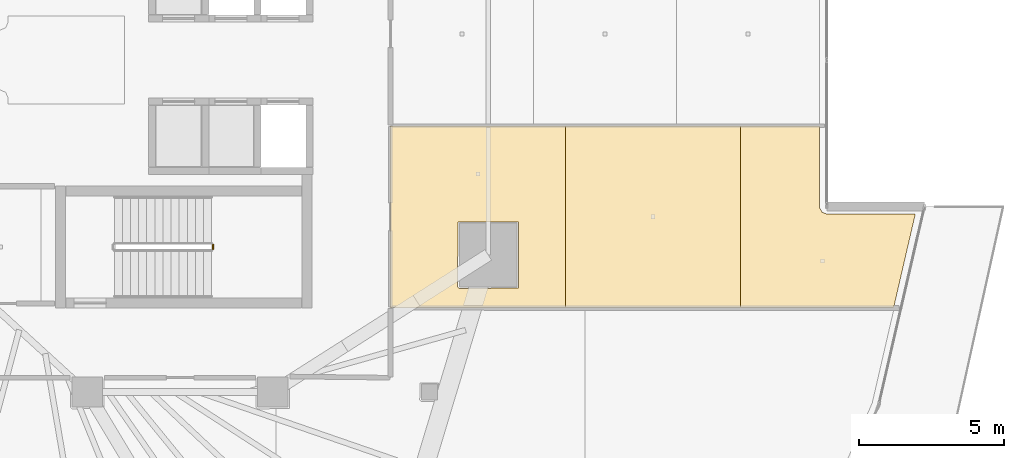
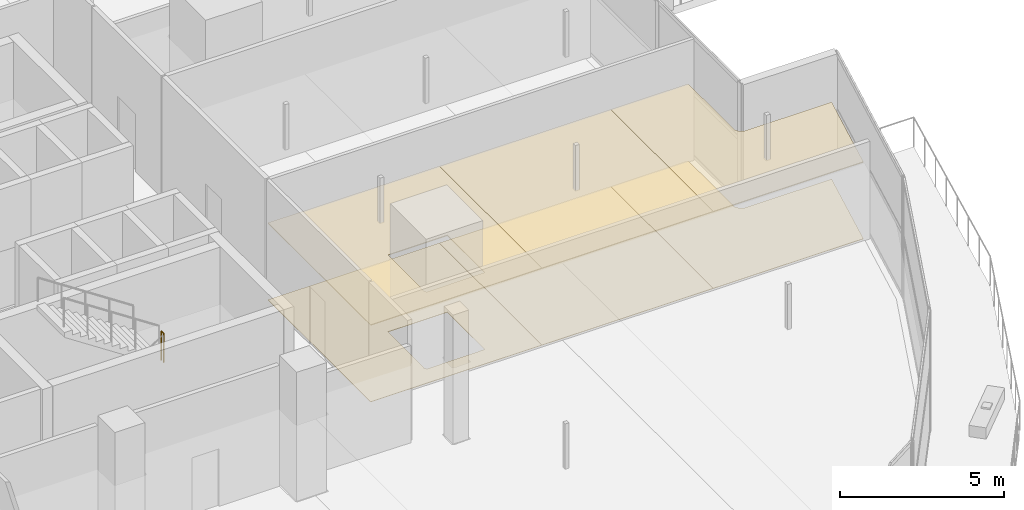
# One storey, part 38 of 42: 6 coverings, 1 railing.
"""IFC4 building model written with IfcOpenShell, lengths in metres."""

import ifcopenshell
import ifcopenshell.guid

model = None  # the IFC model being written
_history = None  # IfcOwnerHistory: only IFC2X3 demands one
_inside = {}  # id of a spatial element -> (the spatial element, [elements in it])
_under = {}  # id of a project, library or spatial element -> (it, [spatial elements below it])
_declared = {}  # id of a project -> (the project, [libraries it declares])
_typed = {}  # id of a type object -> (the type object, [elements of that type])
_made_of = {}  # id of a material, layer set ... -> (it, [elements and type objects made of it])


def new_model(schema):
    """Start an empty IFC model of exactly this schema.

    Asked for "IFC4X3", IfcOpenShell would pick the latest addendum, in which some entities
    have other attributes; the version numbers below select the first issue.
    IFC2X3 requires an IfcOwnerHistory on every rooted entity: one is made here for all.
    """
    global model, _history
    if schema == "IFC4X3":
        model = ifcopenshell.file(schema_version=(4, 3, 0, 0))
    else:
        model = ifcopenshell.file(schema=schema)
    _inside.clear()
    _under.clear()
    _declared.clear()
    _typed.clear()
    _made_of.clear()
    _history = None
    if model.schema == "IFC2X3":
        org = make("IfcOrganization", Name="unknown")
        user = make(
            "IfcPersonAndOrganization",
            ThePerson=make("IfcPerson", FamilyName="unknown"),
            TheOrganization=org,
        )
        app = make(
            "IfcApplication",
            ApplicationDeveloper=org,
            Version="unknown",
            ApplicationFullName="unknown",
            ApplicationIdentifier="unknown",
        )
        _history = make(
            "IfcOwnerHistory",
            OwningUser=user,
            OwningApplication=app,
            ChangeAction="ADDED",
            CreationDate=0,
        )
    return model


def make(cls, **values):
    """One entity of the class cls with the attributes given. An attribute that is None is left unset."""
    return model.create_entity(
        cls, **{name: value for name, value in values.items() if value is not None}
    )


def rooted(cls, **values):
    """An entity with a GlobalId (a new one), such as an element, a storey or a relation."""
    return make(cls, GlobalId=ifcopenshell.guid.new(), OwnerHistory=_history, **values)


def si_unit(unit_type, name, prefix=None):
    """IfcSIUnit, for example si_unit("LENGTHUNIT", "METRE", prefix="MILLI")."""
    return make("IfcSIUnit", UnitType=unit_type, Prefix=prefix, Name=name)


def assignment(units):
    """IfcUnitAssignment: the units of a project."""
    return None if units is None else make("IfcUnitAssignment", Units=units)


def point(xyz):
    """IfcCartesianPoint."""
    return None if xyz is None else make("IfcCartesianPoint", Coordinates=xyz)


def direction(xyz):
    """IfcDirection."""
    return None if xyz is None else make("IfcDirection", DirectionRatios=xyz)


def frame(location, z_axis=None, x_axis=None):
    """IfcAxis2Placement3D, a coordinate frame: its origin and axes. An axis left out is left unset."""
    return make(
        "IfcAxis2Placement3D",
        Location=point(location),
        Axis=direction(z_axis),
        RefDirection=direction(x_axis),
    )


def frame_2d(location, x_axis=None):
    """IfcAxis2Placement2D, a coordinate frame in the plane: its origin and x axis."""
    return make(
        "IfcAxis2Placement2D", Location=point(location), RefDirection=direction(x_axis)
    )


def origin():
    """The frame at (0, 0, 0) with its axes left unset."""
    return frame((0.0, 0.0, 0.0))


def origin_2d():
    """The frame at (0, 0) in the plane with its x axis left unset."""
    return frame_2d((0.0, 0.0))


def place(relative_to, where):
    """IfcLocalPlacement: puts the frame where relative to a parent placement (None: the world)."""
    return make(
        "IfcLocalPlacement", PlacementRelTo=relative_to, RelativePlacement=where
    )


def context(
    kind, dimensions, precision=None, world=None, true_north=None, identifier=None
):
    """IfcGeometricRepresentationContext, for example the 3D "Model" context."""
    return make(
        "IfcGeometricRepresentationContext",
        ContextIdentifier=identifier,
        ContextType=kind,
        CoordinateSpaceDimension=dimensions,
        Precision=precision,
        WorldCoordinateSystem=world,
        TrueNorth=true_north,
    )


def subcontext(parent, identifier, kind, view, scale=None):
    """IfcGeometricRepresentationSubContext, for example "Body" below "Model"."""
    return make(
        "IfcGeometricRepresentationSubContext",
        ContextIdentifier=identifier,
        ContextType=kind,
        ParentContext=parent,
        TargetScale=scale,
        TargetView=view,
    )


def project(units=None, contexts=None):
    """IfcProject with its units and contexts."""
    return rooted(
        "IfcProject",
        Name="project",
        RepresentationContexts=contexts,
        UnitsInContext=assignment(units),
    )


def spatial(cls, under=None, at=None, **own):
    """A site, building, storey or space (cls), placed at a placement, below another one or the project."""
    s = rooted(cls, ObjectPlacement=at, **own)
    if under is not None:
        _under.setdefault(under.id(), (under, []))[1].append(s)
    return s


def polyline(points):
    """IfcPolyline through the points."""
    return make("IfcPolyline", Points=[point(p) for p in points])


def profile(cls, at=None, kind="AREA", **sizes):
    """A parametric profile (cls). Its sizes go by their IFC names, for example OverallWidth=200.0."""
    return make(cls, ProfileType=kind, Position=at, **sizes)


def circle(**sizes):
    """IfcCircleProfileDef."""
    return profile("IfcCircleProfileDef", **sizes)


def outline(outer, holes=None, kind="AREA"):
    """IfcArbitraryClosedProfileDef: a profile drawn as a closed curve; with holes, ...WithVoids."""
    if holes is None:
        return make("IfcArbitraryClosedProfileDef", ProfileType=kind, OuterCurve=outer)
    return make(
        "IfcArbitraryProfileDefWithVoids",
        ProfileType=kind,
        OuterCurve=outer,
        InnerCurves=holes,
    )


def extrude(swept, where, along, depth):
    """IfcExtrudedAreaSolid: the profile swept, set in the frame where, extruded along a direction by depth."""
    return make(
        "IfcExtrudedAreaSolid",
        SweptArea=swept,
        Position=where,
        ExtrudedDirection=direction(along),
        Depth=depth,
    )


def shape(context_of_items, identifier, shape_type, items):
    """IfcShapeRepresentation: the items that make up one representation, for example the "Body"."""
    return make(
        "IfcShapeRepresentation",
        ContextOfItems=context_of_items,
        RepresentationIdentifier=identifier,
        RepresentationType=shape_type,
        Items=items,
    )


def material(Name=None, Category=None):
    """IfcMaterial."""
    return make("IfcMaterial", Name=Name, Category=Category)


def layer(
    of_material, thickness, ventilated=None, Name=None, Category=None, Priority=None
):
    """IfcMaterialLayer: one layer of a wall or slab, of a material (None: an air gap)."""
    return make(
        "IfcMaterialLayer",
        Material=of_material,
        LayerThickness=thickness,
        IsVentilated=ventilated,
        Name=Name,
        Category=Category,
        Priority=Priority,
    )


def layer_set(layers, Name=None):
    """IfcMaterialLayerSet."""
    return make("IfcMaterialLayerSet", MaterialLayers=layers, LayerSetName=Name)


def made_of(thing, what):
    """Note that an element or type object is made of a material, layer set ...; save() writes the relation."""
    if what is not None:
        _made_of.setdefault(what.id(), (what, []))[1].append(thing)
    return thing


def type_object(cls, material=None, **own):
    """A type object (cls), such as IfcWallType, which elements share."""
    return made_of(rooted(cls, **own), material)


def element(
    cls,
    number,
    at=None,
    inside=None,
    cuts=None,
    type_object=None,
    material=None,
    context=None,
    identifier="Body",
    shape_type=None,
    held_by="IfcProductDefinitionShape",
    body=None,
    shapes=None,
    **own,
):
    """One element of the class cls, such as IfcWall. Its Tag is "e" and its number.

    at: its placement. inside: the storey or other place that contains it. cuts: it is an
    opening in that element (IfcRelVoidsElement). A single representation is given by context,
    identifier, shape_type and body (its items); several are given by shapes. held_by: the class
    of the entity that holds the representations. save() writes the other relations.
    """
    e = rooted(cls, Tag="e%d" % number, ObjectPlacement=at, **own)
    if body is not None:
        shapes = [shape(context, identifier, shape_type, body)]
    if shapes is not None:
        e.Representation = make(held_by, Representations=shapes)
    if inside is not None:
        _inside.setdefault(inside.id(), (inside, []))[1].append(e)
    if cuts is not None:
        rooted(
            "IfcRelVoidsElement", RelatingBuildingElement=cuts, RelatedOpeningElement=e
        )
    if type_object is not None:
        _typed.setdefault(type_object.id(), (type_object, []))[1].append(e)
    return made_of(e, material)


def aggregate(whole, parts):
    """IfcRelAggregates: a whole, such as a stair, and the parts it consists of."""
    return rooted("IfcRelAggregates", RelatingObject=whole, RelatedObjects=parts)


def save(model, path):
    """Write the relations noted so far, then the file.

    IfcRelAggregates (storeys below a building ...), IfcRelContainedInSpatialStructure (elements
    in a storey), IfcRelDefinesByType, IfcRelAssociatesMaterial and IfcRelDeclares: one each for
    every whole, place, type object, material and project.
    """
    for whole, parts in _under.values():
        aggregate(whole, parts)
    for where, things in _inside.values():
        rooted(
            "IfcRelContainedInSpatialStructure",
            RelatedElements=things,
            RelatingStructure=where,
        )
    for kind, things in _typed.values():
        rooted("IfcRelDefinesByType", RelatedObjects=things, RelatingType=kind)
    for what, things in _made_of.values():
        rooted("IfcRelAssociatesMaterial", RelatedObjects=things, RelatingMaterial=what)
    for by, libraries in _declared.values():
        rooted("IfcRelDeclares", RelatingContext=by, RelatedDefinitions=libraries)
    model.write(path)


model = new_model("IFC4")

# Units and contexts
model_context = context("Model", 3, precision=1e-05, world=origin(), true_north=direction((0.0, 1.0)))
body_context = subcontext(model_context, "Body", "Model", "MODEL_VIEW")
ifc_project = project(units=[si_unit("LENGTHUNIT", "METRE"), si_unit("AREAUNIT", "SQUARE_METRE"), si_unit("VOLUMEUNIT", "CUBIC_METRE"), si_unit("PLANEANGLEUNIT", "RADIAN"), si_unit("MASSUNIT", "GRAM", prefix="KILO")], contexts=[model_context])

# Site, building, storey
site_placement = place(None, origin())
site = spatial("IfcSite", under=ifc_project, at=site_placement, CompositionType="ELEMENT")
building_placement = place(site_placement, origin())
building = spatial("IfcBuilding", under=site, at=building_placement, Name="Qorvath Tower", CompositionType="ELEMENT")
storey_placement = place(building_placement, frame((0.0, 0.0, 105.0)))
storey = spatial("IfcBuildingStorey", under=building, at=storey_placement, Name="L23", CompositionType="ELEMENT", Elevation=105.0)

# Coverings
ifc_material_1 = material(Name="Acoustic mineral fibre ceiling tile", Category="gypsum")
ifc_layer_1 = layer(ifc_material_1, 0.030029296875)
ifc_layer_set_1 = layer_set([ifc_layer_1], Name="COV-CEIL")
covering_type_1 = type_object("IfcCoveringType", Name="COV-CEIL", PredefinedType="CEILING", material=ifc_layer_set_1)
covering_1_placement = place(storey_placement, frame((0.0, 0.0, 2.85009765625)))
element("IfcCovering", 1, at=covering_1_placement, inside=storey, type_object=covering_type_1, Name="L23 Suspended Acoustic Ceiling 022", PredefinedType="CEILING", context=body_context, shape_type="SweptSolid", body=[
    extrude(outline(polyline([(-7.104736328125, -8.53857421875), (-7.104736328125, -2.2734375), (-13.136962890625, -2.2734375), (-13.136962890625, -8.537109375), (-7.104736328125, -8.53857421875)]), holes=[polyline([(-10.830322265625, -7.8212890625), (-10.812744140625, -5.578857421875), (-8.727783203125, -5.578857421875), (-8.727783203125, -7.86376953125), (-10.770263671875, -7.88134765625), (-10.830322265625, -7.8212890625)])]), origin(), (0.0, 0.0, 1.0), 0.030029296875),
])
covering_2_placement = place(storey_placement, frame((0.0, 0.0, 2.85009765625)))
element("IfcCovering", 2, at=covering_2_placement, inside=storey, type_object=covering_type_1, Name="L23 Suspended Acoustic Ceiling 023", PredefinedType="CEILING", context=body_context, shape_type="SweptSolid", body=[
    extrude(outline(polyline([(-1.07275390625, -8.5400390625), (-1.07275390625, -2.2734375), (-7.104736328125, -2.2734375), (-7.104736328125, -8.53857421875), (-1.07275390625, -8.5400390625)])), origin(), (0.0, 0.0, 1.0), 0.030029296875),
])
covering_3_placement = place(storey_placement, frame((0.0, 0.0, 2.85009765625)))
element("IfcCovering", 3, at=covering_3_placement, inside=storey, type_object=covering_type_1, Name="L23 Suspended Acoustic Ceiling 024", PredefinedType="CEILING", context=body_context, shape_type="SweptSolid", body=[
    extrude(outline(polyline([(1.74755859375, -5.250244140625), (1.660400390625, -5.103271484375), (1.655517578125, -2.2734375), (-1.07275390625, -2.2734375), (-1.07275390625, -8.5400390625), (4.212890625, -8.54150390625), (4.95947265625, -5.309326171875), (1.885986328125, -5.30810546875), (1.74755859375, -5.250244140625)])), origin(), (0.0, 0.0, 1.0), 0.030029296875),
])
ifc_material_2 = material(Name="Low-VOC modular carpet tile", Category="textile")
ifc_layer_2 = layer(ifc_material_2, 0.014892578125)
ifc_layer_set_2 = layer_set([ifc_layer_2], Name="COV-FLOOR-CPT")
covering_type_2 = type_object("IfcCoveringType", Name="COV-FLOOR-CPT", PredefinedType="FLOORING", material=ifc_layer_set_2)
covering_4_placement = place(storey_placement, origin())
element("IfcCovering", 4, at=covering_4_placement, inside=storey, type_object=covering_type_2, Name="L23 Floor Finish 022", PredefinedType="FLOORING", context=body_context, shape_type="SweptSolid", body=[
    extrude(outline(polyline([(-7.104736328125, -8.53857421875), (-7.104736328125, -2.2734375), (-13.136962890625, -2.2734375), (-13.136962890625, -8.537109375), (-7.104736328125, -8.53857421875)]), holes=[polyline([(-10.830322265625, -7.8212890625), (-10.812744140625, -5.578857421875), (-8.727783203125, -5.578857421875), (-8.727783203125, -7.86376953125), (-10.770263671875, -7.88134765625), (-10.830322265625, -7.8212890625)])]), origin(), (0.0, 0.0, 1.0), 0.014892578125),
])
covering_5_placement = place(storey_placement, origin())
element("IfcCovering", 5, at=covering_5_placement, inside=storey, type_object=covering_type_2, Name="L23 Floor Finish 023", PredefinedType="FLOORING", context=body_context, shape_type="SweptSolid", body=[
    extrude(outline(polyline([(-1.07275390625, -8.5400390625), (-1.07275390625, -2.2734375), (-7.104736328125, -2.2734375), (-7.104736328125, -8.53857421875), (-1.07275390625, -8.5400390625)])), origin(), (0.0, 0.0, 1.0), 0.014892578125),
])
covering_6_placement = place(storey_placement, origin())
element("IfcCovering", 6, at=covering_6_placement, inside=storey, type_object=covering_type_2, Name="L23 Floor Finish 024", PredefinedType="FLOORING", context=body_context, shape_type="SweptSolid", body=[
    extrude(outline(polyline([(1.74755859375, -5.250244140625), (1.660400390625, -5.103271484375), (1.655517578125, -2.2734375), (-1.07275390625, -2.2734375), (-1.07275390625, -8.5400390625), (4.212890625, -8.54150390625), (4.95947265625, -5.309326171875), (1.885986328125, -5.30810546875), (1.74755859375, -5.250244140625)])), origin(), (0.0, 0.0, 1.0), 0.014892578125),
])

# Railing
ifc_material_3 = material(Name="Painted galvanised steel", Category="steel")
railing_type = type_object("IfcRailingType", Name="RL-STR-GRD", PredefinedType="GUARDRAIL", material=ifc_material_3)
railing_placement = place(storey_placement, frame((-19.260009765625, -6.52001953125, 2.39990234375)))
element("IfcRailing", 7, at=railing_placement, inside=storey, type_object=railing_type, Name="L23 TS2 stair guard 2", PredefinedType="GUARDRAIL", context=body_context, shape_type="SweptSolid", body=[
    extrude(circle(Radius=0.02392578125, at=origin_2d()), frame((0.0, 0.0, 1.076171875), z_axis=(0.0, 1.0, 0.0), x_axis=(-1.0, 0.0, 0.0)), (0.0, 0.0, 1.0), 0.14990234375),
    extrude(circle(Radius=0.02099609375, at=origin_2d()), origin(), (0.0, 0.0, 1.0), 1.052001953125),
    extrude(circle(Radius=0.02099609375, at=origin_2d()), frame((0.0, 0.14990234375, 0.0)), (0.0, 0.0, 1.0), 1.052001953125),
])

save(model, "model.ifc")
